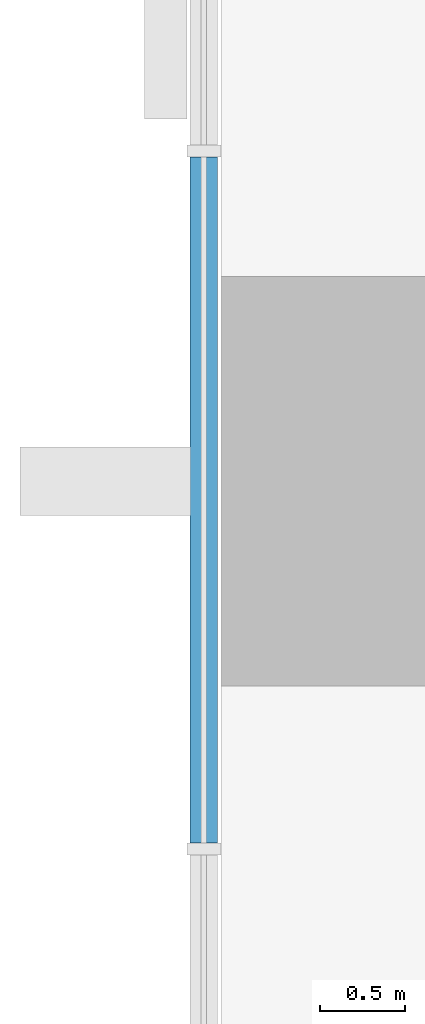
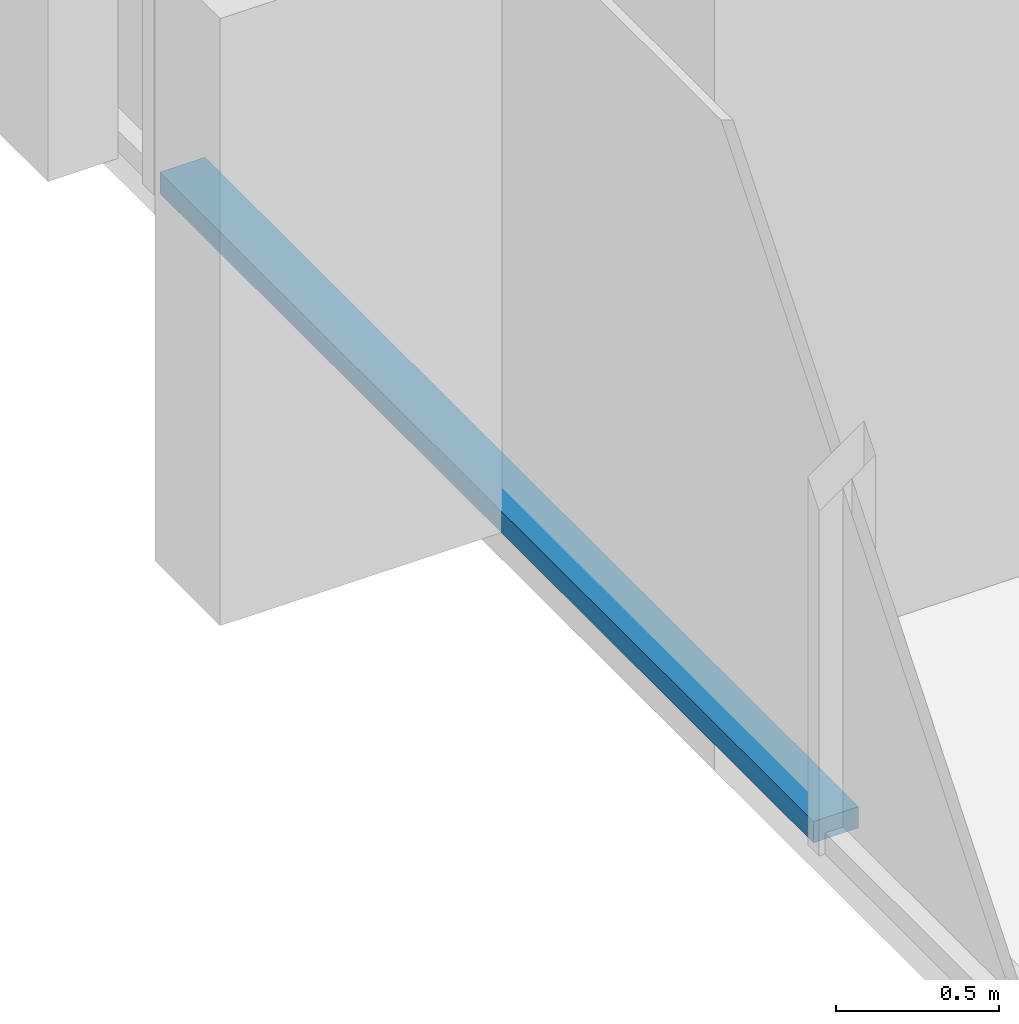
# One storey, part 3 of 13: 1 member, 1 element without a shape of its own.
"""IFC4 building model written with IfcOpenShell, lengths in metres."""

import ifcopenshell
import ifcopenshell.guid

model = None  # the IFC model being written
_history = None  # IfcOwnerHistory: only IFC2X3 demands one
_inside = {}  # id of a spatial element -> (the spatial element, [elements in it])
_under = {}  # id of a project, library or spatial element -> (it, [spatial elements below it])
_declared = {}  # id of a project -> (the project, [libraries it declares])
_typed = {}  # id of a type object -> (the type object, [elements of that type])
_made_of = {}  # id of a material, layer set ... -> (it, [elements and type objects made of it])


def new_model(schema):
    """Start an empty IFC model of exactly this schema.

    Asked for "IFC4X3", IfcOpenShell would pick the latest addendum, in which some entities
    have other attributes; the version numbers below select the first issue.
    IFC2X3 requires an IfcOwnerHistory on every rooted entity: one is made here for all.
    """
    global model, _history
    if schema == "IFC4X3":
        model = ifcopenshell.file(schema_version=(4, 3, 0, 0))
    else:
        model = ifcopenshell.file(schema=schema)
    _inside.clear()
    _under.clear()
    _declared.clear()
    _typed.clear()
    _made_of.clear()
    _history = None
    if model.schema == "IFC2X3":
        org = make("IfcOrganization", Name="unknown")
        user = make(
            "IfcPersonAndOrganization",
            ThePerson=make("IfcPerson", FamilyName="unknown"),
            TheOrganization=org,
        )
        app = make(
            "IfcApplication",
            ApplicationDeveloper=org,
            Version="unknown",
            ApplicationFullName="unknown",
            ApplicationIdentifier="unknown",
        )
        _history = make(
            "IfcOwnerHistory",
            OwningUser=user,
            OwningApplication=app,
            ChangeAction="ADDED",
            CreationDate=0,
        )
    return model


def make(cls, **values):
    """One entity of the class cls with the attributes given. An attribute that is None is left unset."""
    return model.create_entity(
        cls, **{name: value for name, value in values.items() if value is not None}
    )


def rooted(cls, **values):
    """An entity with a GlobalId (a new one), such as an element, a storey or a relation."""
    return make(cls, GlobalId=ifcopenshell.guid.new(), OwnerHistory=_history, **values)


def si_unit(unit_type, name, prefix=None):
    """IfcSIUnit, for example si_unit("LENGTHUNIT", "METRE", prefix="MILLI")."""
    return make("IfcSIUnit", UnitType=unit_type, Prefix=prefix, Name=name)


def assignment(units):
    """IfcUnitAssignment: the units of a project."""
    return None if units is None else make("IfcUnitAssignment", Units=units)


def point(xyz):
    """IfcCartesianPoint."""
    return None if xyz is None else make("IfcCartesianPoint", Coordinates=xyz)


def direction(xyz):
    """IfcDirection."""
    return None if xyz is None else make("IfcDirection", DirectionRatios=xyz)


def frame(location, z_axis=None, x_axis=None):
    """IfcAxis2Placement3D, a coordinate frame: its origin and axes. An axis left out is left unset."""
    return make(
        "IfcAxis2Placement3D",
        Location=point(location),
        Axis=direction(z_axis),
        RefDirection=direction(x_axis),
    )


def frame_2d(location, x_axis=None):
    """IfcAxis2Placement2D, a coordinate frame in the plane: its origin and x axis."""
    return make(
        "IfcAxis2Placement2D", Location=point(location), RefDirection=direction(x_axis)
    )


def origin():
    """The frame at (0, 0, 0) with its axes left unset."""
    return frame((0.0, 0.0, 0.0))


def origin_2d():
    """The frame at (0, 0) in the plane with its x axis left unset."""
    return frame_2d((0.0, 0.0))


def place(relative_to, where):
    """IfcLocalPlacement: puts the frame where relative to a parent placement (None: the world)."""
    return make(
        "IfcLocalPlacement", PlacementRelTo=relative_to, RelativePlacement=where
    )


def context(
    kind, dimensions, precision=None, world=None, true_north=None, identifier=None
):
    """IfcGeometricRepresentationContext, for example the 3D "Model" context."""
    return make(
        "IfcGeometricRepresentationContext",
        ContextIdentifier=identifier,
        ContextType=kind,
        CoordinateSpaceDimension=dimensions,
        Precision=precision,
        WorldCoordinateSystem=world,
        TrueNorth=true_north,
    )


def subcontext(parent, identifier, kind, view, scale=None):
    """IfcGeometricRepresentationSubContext, for example "Body" below "Model"."""
    return make(
        "IfcGeometricRepresentationSubContext",
        ContextIdentifier=identifier,
        ContextType=kind,
        ParentContext=parent,
        TargetScale=scale,
        TargetView=view,
    )


def project(units=None, contexts=None):
    """IfcProject with its units and contexts."""
    return rooted(
        "IfcProject",
        Name="project",
        RepresentationContexts=contexts,
        UnitsInContext=assignment(units),
    )


def spatial(cls, under=None, at=None, **own):
    """A site, building, storey or space (cls), placed at a placement, below another one or the project."""
    s = rooted(cls, ObjectPlacement=at, **own)
    if under is not None:
        _under.setdefault(under.id(), (under, []))[1].append(s)
    return s


def profile(cls, at=None, kind="AREA", **sizes):
    """A parametric profile (cls). Its sizes go by their IFC names, for example OverallWidth=200.0."""
    return make(cls, ProfileType=kind, Position=at, **sizes)


def rectangle(**sizes):
    """IfcRectangleProfileDef."""
    return profile("IfcRectangleProfileDef", **sizes)


def extrude(swept, where, along, depth):
    """IfcExtrudedAreaSolid: the profile swept, set in the frame where, extruded along a direction by depth."""
    return make(
        "IfcExtrudedAreaSolid",
        SweptArea=swept,
        Position=where,
        ExtrudedDirection=direction(along),
        Depth=depth,
    )


def shape(context_of_items, identifier, shape_type, items):
    """IfcShapeRepresentation: the items that make up one representation, for example the "Body"."""
    return make(
        "IfcShapeRepresentation",
        ContextOfItems=context_of_items,
        RepresentationIdentifier=identifier,
        RepresentationType=shape_type,
        Items=items,
    )


def material(Name=None, Category=None):
    """IfcMaterial."""
    return make("IfcMaterial", Name=Name, Category=Category)


def material_profile(
    of_material, cross_section, Name=None, Category=None, Priority=None
):
    """IfcMaterialProfile: a cross section and its material."""
    return make(
        "IfcMaterialProfile",
        Name=Name,
        Material=of_material,
        Profile=cross_section,
        Priority=Priority,
        Category=Category,
    )


def profile_set(profiles, Name=None, composite=None):
    """IfcMaterialProfileSet."""
    return make(
        "IfcMaterialProfileSet",
        Name=Name,
        MaterialProfiles=profiles,
        CompositeProfile=composite,
    )


def made_of(thing, what):
    """Note that an element or type object is made of a material, layer set ...; save() writes the relation."""
    if what is not None:
        _made_of.setdefault(what.id(), (what, []))[1].append(thing)
    return thing


def type_object(cls, material=None, **own):
    """A type object (cls), such as IfcWallType, which elements share."""
    return made_of(rooted(cls, **own), material)


def element(
    cls,
    number,
    at=None,
    inside=None,
    cuts=None,
    type_object=None,
    material=None,
    context=None,
    identifier="Body",
    shape_type=None,
    held_by="IfcProductDefinitionShape",
    body=None,
    shapes=None,
    **own,
):
    """One element of the class cls, such as IfcWall. Its Tag is "e" and its number.

    at: its placement. inside: the storey or other place that contains it. cuts: it is an
    opening in that element (IfcRelVoidsElement). A single representation is given by context,
    identifier, shape_type and body (its items); several are given by shapes. held_by: the class
    of the entity that holds the representations. save() writes the other relations.
    """
    e = rooted(cls, Tag="e%d" % number, ObjectPlacement=at, **own)
    if body is not None:
        shapes = [shape(context, identifier, shape_type, body)]
    if shapes is not None:
        e.Representation = make(held_by, Representations=shapes)
    if inside is not None:
        _inside.setdefault(inside.id(), (inside, []))[1].append(e)
    if cuts is not None:
        rooted(
            "IfcRelVoidsElement", RelatingBuildingElement=cuts, RelatedOpeningElement=e
        )
    if type_object is not None:
        _typed.setdefault(type_object.id(), (type_object, []))[1].append(e)
    return made_of(e, material)


def aggregate(whole, parts):
    """IfcRelAggregates: a whole, such as a stair, and the parts it consists of."""
    return rooted("IfcRelAggregates", RelatingObject=whole, RelatedObjects=parts)


def save(model, path):
    """Write the relations noted so far, then the file.

    IfcRelAggregates (storeys below a building ...), IfcRelContainedInSpatialStructure (elements
    in a storey), IfcRelDefinesByType, IfcRelAssociatesMaterial and IfcRelDeclares: one each for
    every whole, place, type object, material and project.
    """
    for whole, parts in _under.values():
        aggregate(whole, parts)
    for where, things in _inside.values():
        rooted(
            "IfcRelContainedInSpatialStructure",
            RelatedElements=things,
            RelatingStructure=where,
        )
    for kind, things in _typed.values():
        rooted("IfcRelDefinesByType", RelatedObjects=things, RelatingType=kind)
    for what, things in _made_of.values():
        rooted("IfcRelAssociatesMaterial", RelatedObjects=things, RelatingMaterial=what)
    for by, libraries in _declared.values():
        rooted("IfcRelDeclares", RelatingContext=by, RelatedDefinitions=libraries)
    model.write(path)


model = new_model("IFC4")

# Units and contexts
model_context = context("Model", 3, precision=1e-05, world=origin(), true_north=direction((0.0, 1.0)))
body_context = subcontext(model_context, "Body", "Model", "MODEL_VIEW")
ifc_project = project(units=[si_unit("LENGTHUNIT", "METRE"), si_unit("AREAUNIT", "SQUARE_METRE"), si_unit("VOLUMEUNIT", "CUBIC_METRE"), si_unit("PLANEANGLEUNIT", "RADIAN"), si_unit("MASSUNIT", "GRAM", prefix="KILO")], contexts=[model_context])

# Site, building, storey
site_placement = place(None, origin())
site = spatial("IfcSite", under=ifc_project, at=site_placement, CompositionType="ELEMENT")
building_placement = place(site_placement, origin())
building = spatial("IfcBuilding", under=site, at=building_placement, Name="Dunama Terrace Hotel", CompositionType="ELEMENT")
storey_placement = place(building_placement, frame((0.0, 0.0, 216.60009765625)))
storey = spatial("IfcBuildingStorey", under=building, at=storey_placement, Name="L56", CompositionType="ELEMENT", Elevation=216.60009765625)

# Curtain wall, member
ifc_material_1 = material(Name="Aluminium curtain wall system", Category="aluminium")
curtain_wall_type = type_object("IfcCurtainWallType", Name="Unitised fritted glass wall CW-C", PredefinedType="NOTDEFINED", material=ifc_material_1)
curtain_wall_placement = place(storey_placement, origin())
curtain_wall = element("IfcCurtainWall", 1, at=curtain_wall_placement, inside=storey, type_object=curtain_wall_type, Name="Unitised fritted glass wall CW-C L56", PredefinedType="NOTDEFINED")
ifc_material_2 = material(Name="Aluminium transom", Category="aluminium")
ifc_material_profile = material_profile(ifc_material_2, rectangle(XDim=0.159912109375, YDim=0.080078125, at=origin_2d()), Name="CWC TRANSOM 160X80")
ifc_profile_set = profile_set([ifc_material_profile], Name="Aluminium transom")
member_type = type_object("IfcMemberType", Name="CWC transom 160x80", PredefinedType="USERDEFINED", material=ifc_profile_set)
member_placement = place(storey_placement, frame((4.10009765625, 35.5009765625, 0.039794921875), z_axis=(0.0, -1.0, 0.0), x_axis=(1.0, 0.0, 0.0)))
member = element("IfcMember", 2, at=member_placement, type_object=member_type, Name="CWC transom", ObjectType="TRANSOM", PredefinedType="USERDEFINED", context=body_context, shape_type="SweptSolid", body=[
    extrude(rectangle(XDim=0.159912109375, YDim=0.080078125, at=origin_2d()), origin(), (0.0, 0.0, 1.0), 4.02099609375),
])
aggregate(curtain_wall, [member])

save(model, "model.ifc")
